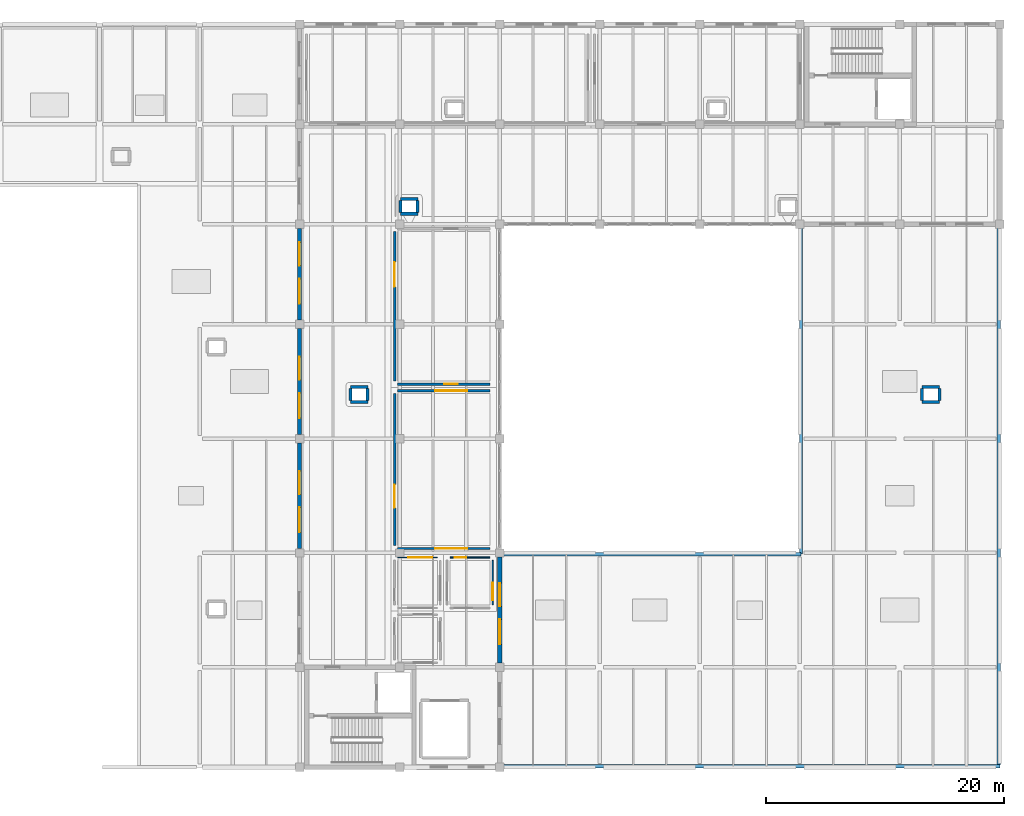
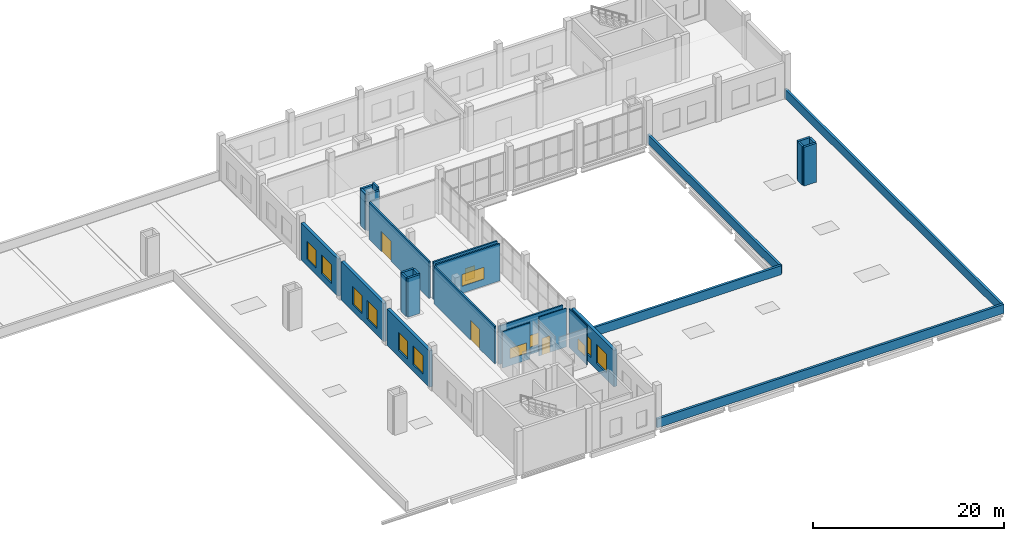
# One storey, part 41 of 49: 28 walls, 13 windows, 3 doors, 16 openings.
"""IFC4 building model written with IfcOpenShell, lengths in metres."""

import ifcopenshell
import ifcopenshell.guid

model = None  # the IFC model being written
_history = None  # IfcOwnerHistory: only IFC2X3 demands one
_inside = {}  # id of a spatial element -> (the spatial element, [elements in it])
_under = {}  # id of a project, library or spatial element -> (it, [spatial elements below it])
_declared = {}  # id of a project -> (the project, [libraries it declares])
_typed = {}  # id of a type object -> (the type object, [elements of that type])
_made_of = {}  # id of a material, layer set ... -> (it, [elements and type objects made of it])


def new_model(schema):
    """Start an empty IFC model of exactly this schema.

    Asked for "IFC4X3", IfcOpenShell would pick the latest addendum, in which some entities
    have other attributes; the version numbers below select the first issue.
    IFC2X3 requires an IfcOwnerHistory on every rooted entity: one is made here for all.
    """
    global model, _history
    if schema == "IFC4X3":
        model = ifcopenshell.file(schema_version=(4, 3, 0, 0))
    else:
        model = ifcopenshell.file(schema=schema)
    _inside.clear()
    _under.clear()
    _declared.clear()
    _typed.clear()
    _made_of.clear()
    _history = None
    if model.schema == "IFC2X3":
        org = make("IfcOrganization", Name="unknown")
        user = make(
            "IfcPersonAndOrganization",
            ThePerson=make("IfcPerson", FamilyName="unknown"),
            TheOrganization=org,
        )
        app = make(
            "IfcApplication",
            ApplicationDeveloper=org,
            Version="unknown",
            ApplicationFullName="unknown",
            ApplicationIdentifier="unknown",
        )
        _history = make(
            "IfcOwnerHistory",
            OwningUser=user,
            OwningApplication=app,
            ChangeAction="ADDED",
            CreationDate=0,
        )
    return model


def make(cls, **values):
    """One entity of the class cls with the attributes given. An attribute that is None is left unset."""
    return model.create_entity(
        cls, **{name: value for name, value in values.items() if value is not None}
    )


def rooted(cls, **values):
    """An entity with a GlobalId (a new one), such as an element, a storey or a relation."""
    return make(cls, GlobalId=ifcopenshell.guid.new(), OwnerHistory=_history, **values)


def si_unit(unit_type, name, prefix=None):
    """IfcSIUnit, for example si_unit("LENGTHUNIT", "METRE", prefix="MILLI")."""
    return make("IfcSIUnit", UnitType=unit_type, Prefix=prefix, Name=name)


def assignment(units):
    """IfcUnitAssignment: the units of a project."""
    return None if units is None else make("IfcUnitAssignment", Units=units)


def point(xyz):
    """IfcCartesianPoint."""
    return None if xyz is None else make("IfcCartesianPoint", Coordinates=xyz)


def direction(xyz):
    """IfcDirection."""
    return None if xyz is None else make("IfcDirection", DirectionRatios=xyz)


def frame(location, z_axis=None, x_axis=None):
    """IfcAxis2Placement3D, a coordinate frame: its origin and axes. An axis left out is left unset."""
    return make(
        "IfcAxis2Placement3D",
        Location=point(location),
        Axis=direction(z_axis),
        RefDirection=direction(x_axis),
    )


def frame_2d(location, x_axis=None):
    """IfcAxis2Placement2D, a coordinate frame in the plane: its origin and x axis."""
    return make(
        "IfcAxis2Placement2D", Location=point(location), RefDirection=direction(x_axis)
    )


def origin():
    """The frame at (0, 0, 0) with its axes left unset."""
    return frame((0.0, 0.0, 0.0))


def place(relative_to, where):
    """IfcLocalPlacement: puts the frame where relative to a parent placement (None: the world)."""
    return make(
        "IfcLocalPlacement", PlacementRelTo=relative_to, RelativePlacement=where
    )


def context(
    kind, dimensions, precision=None, world=None, true_north=None, identifier=None
):
    """IfcGeometricRepresentationContext, for example the 3D "Model" context."""
    return make(
        "IfcGeometricRepresentationContext",
        ContextIdentifier=identifier,
        ContextType=kind,
        CoordinateSpaceDimension=dimensions,
        Precision=precision,
        WorldCoordinateSystem=world,
        TrueNorth=true_north,
    )


def subcontext(parent, identifier, kind, view, scale=None):
    """IfcGeometricRepresentationSubContext, for example "Body" below "Model"."""
    return make(
        "IfcGeometricRepresentationSubContext",
        ContextIdentifier=identifier,
        ContextType=kind,
        ParentContext=parent,
        TargetScale=scale,
        TargetView=view,
    )


def project(units=None, contexts=None):
    """IfcProject with its units and contexts."""
    return rooted(
        "IfcProject",
        Name="project",
        RepresentationContexts=contexts,
        UnitsInContext=assignment(units),
    )


def spatial(cls, under=None, at=None, **own):
    """A site, building, storey or space (cls), placed at a placement, below another one or the project."""
    s = rooted(cls, ObjectPlacement=at, **own)
    if under is not None:
        _under.setdefault(under.id(), (under, []))[1].append(s)
    return s


def profile(cls, at=None, kind="AREA", **sizes):
    """A parametric profile (cls). Its sizes go by their IFC names, for example OverallWidth=200.0."""
    return make(cls, ProfileType=kind, Position=at, **sizes)


def rectangle(**sizes):
    """IfcRectangleProfileDef."""
    return profile("IfcRectangleProfileDef", **sizes)


def extrude(swept, where, along, depth):
    """IfcExtrudedAreaSolid: the profile swept, set in the frame where, extruded along a direction by depth."""
    return make(
        "IfcExtrudedAreaSolid",
        SweptArea=swept,
        Position=where,
        ExtrudedDirection=direction(along),
        Depth=depth,
    )


def shape(context_of_items, identifier, shape_type, items):
    """IfcShapeRepresentation: the items that make up one representation, for example the "Body"."""
    return make(
        "IfcShapeRepresentation",
        ContextOfItems=context_of_items,
        RepresentationIdentifier=identifier,
        RepresentationType=shape_type,
        Items=items,
    )


def material(Name=None, Category=None):
    """IfcMaterial."""
    return make("IfcMaterial", Name=Name, Category=Category)


def layer(
    of_material, thickness, ventilated=None, Name=None, Category=None, Priority=None
):
    """IfcMaterialLayer: one layer of a wall or slab, of a material (None: an air gap)."""
    return make(
        "IfcMaterialLayer",
        Material=of_material,
        LayerThickness=thickness,
        IsVentilated=ventilated,
        Name=Name,
        Category=Category,
        Priority=Priority,
    )


def layer_set(layers, Name=None):
    """IfcMaterialLayerSet."""
    return make("IfcMaterialLayerSet", MaterialLayers=layers, LayerSetName=Name)


def made_of(thing, what):
    """Note that an element or type object is made of a material, layer set ...; save() writes the relation."""
    if what is not None:
        _made_of.setdefault(what.id(), (what, []))[1].append(thing)
    return thing


def type_object(cls, material=None, **own):
    """A type object (cls), such as IfcWallType, which elements share."""
    return made_of(rooted(cls, **own), material)


def element(
    cls,
    number,
    at=None,
    inside=None,
    cuts=None,
    type_object=None,
    material=None,
    context=None,
    identifier="Body",
    shape_type=None,
    held_by="IfcProductDefinitionShape",
    body=None,
    shapes=None,
    **own,
):
    """One element of the class cls, such as IfcWall. Its Tag is "e" and its number.

    at: its placement. inside: the storey or other place that contains it. cuts: it is an
    opening in that element (IfcRelVoidsElement). A single representation is given by context,
    identifier, shape_type and body (its items); several are given by shapes. held_by: the class
    of the entity that holds the representations. save() writes the other relations.
    """
    e = rooted(cls, Tag="e%d" % number, ObjectPlacement=at, **own)
    if body is not None:
        shapes = [shape(context, identifier, shape_type, body)]
    if shapes is not None:
        e.Representation = make(held_by, Representations=shapes)
    if inside is not None:
        _inside.setdefault(inside.id(), (inside, []))[1].append(e)
    if cuts is not None:
        rooted(
            "IfcRelVoidsElement", RelatingBuildingElement=cuts, RelatedOpeningElement=e
        )
    if type_object is not None:
        _typed.setdefault(type_object.id(), (type_object, []))[1].append(e)
    return made_of(e, material)


def fill(opening, filler):
    """IfcRelFillsElement: the door or window that sits in an opening."""
    return rooted(
        "IfcRelFillsElement",
        RelatingOpeningElement=opening,
        RelatedBuildingElement=filler,
    )


def aggregate(whole, parts):
    """IfcRelAggregates: a whole, such as a stair, and the parts it consists of."""
    return rooted("IfcRelAggregates", RelatingObject=whole, RelatedObjects=parts)


def save(model, path):
    """Write the relations noted so far, then the file.

    IfcRelAggregates (storeys below a building ...), IfcRelContainedInSpatialStructure (elements
    in a storey), IfcRelDefinesByType, IfcRelAssociatesMaterial and IfcRelDeclares: one each for
    every whole, place, type object, material and project.
    """
    for whole, parts in _under.values():
        aggregate(whole, parts)
    for where, things in _inside.values():
        rooted(
            "IfcRelContainedInSpatialStructure",
            RelatedElements=things,
            RelatingStructure=where,
        )
    for kind, things in _typed.values():
        rooted("IfcRelDefinesByType", RelatedObjects=things, RelatingType=kind)
    for what, things in _made_of.values():
        rooted("IfcRelAssociatesMaterial", RelatedObjects=things, RelatingMaterial=what)
    for by, libraries in _declared.values():
        rooted("IfcRelDeclares", RelatingContext=by, RelatedDefinitions=libraries)
    model.write(path)


model = new_model("IFC4")

# Units and contexts
model_context = context("Model", 3, precision=1e-05, world=origin(), true_north=direction((0.0, 1.0)))
body_context = subcontext(model_context, "Body", "Model", "MODEL_VIEW")
ifc_project = project(units=[si_unit("LENGTHUNIT", "METRE"), si_unit("AREAUNIT", "SQUARE_METRE"), si_unit("VOLUMEUNIT", "CUBIC_METRE"), si_unit("PLANEANGLEUNIT", "RADIAN"), si_unit("MASSUNIT", "GRAM", prefix="KILO")], contexts=[model_context])

# Site, building, storey
site_placement = place(None, origin())
site = spatial("IfcSite", under=ifc_project, at=site_placement, CompositionType="ELEMENT")
building_placement = place(site_placement, origin())
building = spatial("IfcBuilding", under=site, at=building_placement, Name="Zulmaris Art Gallery", CompositionType="ELEMENT")
storey_placement = place(building_placement, frame((0.0, 0.0, 20.699951171875)))
storey = spatial("IfcBuildingStorey", under=building, at=storey_placement, Name="L04", CompositionType="ELEMENT", Elevation=20.699951171875)

# Wall, openings, windows
ifc_material_1 = material(Name="Honed Omani Travertine Insulated Wall", Category="masonry")
ifc_layer_1 = layer(ifc_material_1, 0.360107421875)
ifc_layer_set_1 = layer_set([ifc_layer_1], Name="Honed Omani Travertine Insulated Wall")
wall_type_1 = type_object("IfcWallType", Name="ENV-WALL-EW03", PredefinedType="SOLIDWALL", material=ifc_layer_set_1)
wall_1_placement = place(storey_placement, frame((158.39990234375, 21.951904296875, 0.0), z_axis=(0.0, 0.0, 1.0), x_axis=(0.0, 1.0, 0.0)))
wall_1 = element("IfcWall", 1, at=wall_1_placement, inside=storey, type_object=wall_type_1, Name="L04 V5 Stepped East Studio Wall", PredefinedType="SOLIDWALL", context=body_context, shape_type="SweptSolid", body=[
    extrude(rectangle(XDim=8.89599609375, YDim=0.360107421875, at=frame_2d((4.447998046875, 0.0))), origin(), (0.0, 0.0, 1.0), 4.66015625),
])
opening_1_placement = place(wall_1_placement, frame((1.568115234375, 0.0, 0.85009765625)))
opening_1 = element("IfcOpeningElement", 2, at=opening_1_placement, cuts=wall_1, Name="Opening W03", PredefinedType="OPENING", context=body_context, shape_type="SweptSolid", body=[
    extrude(rectangle(XDim=2.10009765625, YDim=2.39990234375, at=frame_2d((1.050048828125, 1.199951171875))), frame((0.0, 0.18994140625, 0.0), z_axis=(0.0, -1.0, 0.0), x_axis=(1.0, 0.0, 0.0)), (0.0, 0.0, 1.0), 0.380126953125),
])
opening_2_placement = place(wall_1_placement, frame((4.76806640625, 0.0, 0.85009765625)))
opening_2 = element("IfcOpeningElement", 3, at=opening_2_placement, cuts=wall_1, Name="Opening W08", PredefinedType="OPENING", context=body_context, shape_type="SweptSolid", body=[
    extrude(rectangle(XDim=1.949951171875, YDim=2.300048828125, at=frame_2d((0.97509765625, 1.14990234375))), frame((0.0, 0.18994140625, 0.0), z_axis=(0.0, -1.0, 0.0), x_axis=(1.0, 0.0, 0.0)), (0.0, 0.0, 1.0), 0.380126953125),
])
ifc_material_2 = material(Name="Double-Glazed Bronze-Framed Studio Window", Category="glass")
window_type_1 = type_object("IfcWindowType", Name="WIN-W03", PartitioningType="SINGLE_PANEL", PredefinedType="WINDOW", material=ifc_material_2)
window_1_placement = place(opening_1_placement, origin())
window_1 = element("IfcWindow", 4, at=window_1_placement, inside=storey, type_object=window_type_1, Name="L04 exterior window W03", OverallHeight=2.39990234375, OverallWidth=2.10009765625, PartitioningType="SINGLE_PANEL", PredefinedType="WINDOW", context=body_context, shape_type="SweptSolid", body=[
    extrude(rectangle(XDim=2.10009765625, YDim=2.39990234375, at=frame_2d((1.050048828125, 1.199951171875))), frame((0.0, 0.030029296875, 0.0), z_axis=(0.0, -1.0, 0.0), x_axis=(1.0, 0.0, 0.0)), (0.0, 0.0, 1.0), 0.06005859375),
])
fill(opening_1, window_1)
ifc_material_3 = material(Name="Curatorial North Studio Window", Category="glass")
window_type_2 = type_object("IfcWindowType", Name="WIN-W08", PartitioningType="SINGLE_PANEL", PredefinedType="WINDOW", material=ifc_material_3)
window_2_placement = place(opening_2_placement, origin())
window_2 = element("IfcWindow", 5, at=window_2_placement, inside=storey, type_object=window_type_2, Name="L04 exterior window W08", OverallHeight=2.300048828125, OverallWidth=1.949951171875, PartitioningType="SINGLE_PANEL", PredefinedType="WINDOW", context=body_context, shape_type="SweptSolid", body=[
    extrude(rectangle(XDim=1.949951171875, YDim=2.300048828125, at=frame_2d((0.97509765625, 1.14990234375))), frame((0.0, 0.030029296875, 0.0), z_axis=(0.0, -1.0, 0.0), x_axis=(1.0, 0.0, 0.0)), (0.0, 0.0, 1.0), 0.06005859375),
])
fill(opening_2, window_2)

wall_2_placement = place(storey_placement, frame((141.60009765625, 31.552001953125, 0.0), z_axis=(0.0, 0.0, 1.0), x_axis=(0.0, 1.0, 0.0)))
wall_2 = element("IfcWall", 6, at=wall_2_placement, inside=storey, type_object=wall_type_1, Name="L04 V5 Upper West Overlook Facade", PredefinedType="SOLIDWALL", context=body_context, shape_type="SweptSolid", body=[
    extrude(rectangle(XDim=8.89599609375, YDim=0.360107421875, at=frame_2d((4.447998046875, 0.0))), origin(), (0.0, 0.0, 1.0), 4.66015625),
])
opening_3_placement = place(wall_2_placement, frame((1.367919921875, 0.0, 0.85009765625)))
opening_3 = element("IfcOpeningElement", 7, at=opening_3_placement, cuts=wall_2, Name="Opening W03", PredefinedType="OPENING", context=body_context, shape_type="SweptSolid", body=[
    extrude(rectangle(XDim=2.10009765625, YDim=2.39990234375, at=frame_2d((1.050048828125, 1.199951171875))), frame((0.0, 0.18994140625, 0.0), z_axis=(0.0, -1.0, 0.0), x_axis=(1.0, 0.0, 0.0)), (0.0, 0.0, 1.0), 0.380126953125),
])
opening_4_placement = place(wall_2_placement, frame((4.568115234375, 0.0, 0.85009765625)))
opening_4 = element("IfcOpeningElement", 8, at=opening_4_placement, cuts=wall_2, Name="Opening W08", PredefinedType="OPENING", context=body_context, shape_type="SweptSolid", body=[
    extrude(rectangle(XDim=1.949951171875, YDim=2.300048828125, at=frame_2d((0.97509765625, 1.14990234375))), frame((0.0, 0.18994140625, 0.0), z_axis=(0.0, -1.0, 0.0), x_axis=(1.0, 0.0, 0.0)), (0.0, 0.0, 1.0), 0.380126953125),
])
window_3_placement = place(opening_3_placement, origin())
window_3 = element("IfcWindow", 9, at=window_3_placement, inside=storey, type_object=window_type_1, Name="L04 exterior window W03", OverallHeight=2.39990234375, OverallWidth=2.10009765625, PartitioningType="SINGLE_PANEL", PredefinedType="WINDOW", context=body_context, shape_type="SweptSolid", body=[
    extrude(rectangle(XDim=2.10009765625, YDim=2.39990234375, at=frame_2d((1.050048828125, 1.199951171875))), frame((0.0, 0.030029296875, 0.0), z_axis=(0.0, -1.0, 0.0), x_axis=(1.0, 0.0, 0.0)), (0.0, 0.0, 1.0), 0.06005859375),
])
fill(opening_3, window_3)
window_4_placement = place(opening_4_placement, origin())
window_4 = element("IfcWindow", 10, at=window_4_placement, inside=storey, type_object=window_type_2, Name="L04 exterior window W08", OverallHeight=2.300048828125, OverallWidth=1.949951171875, PartitioningType="SINGLE_PANEL", PredefinedType="WINDOW", context=body_context, shape_type="SweptSolid", body=[
    extrude(rectangle(XDim=1.949951171875, YDim=2.300048828125, at=frame_2d((0.97509765625, 1.14990234375))), frame((0.0, 0.030029296875, 0.0), z_axis=(0.0, -1.0, 0.0), x_axis=(1.0, 0.0, 0.0)), (0.0, 0.0, 1.0), 0.06005859375),
])
fill(opening_4, window_4)

wall_3_placement = place(storey_placement, frame((141.60009765625, 41.152099609375, 0.0), z_axis=(0.0, 0.0, 1.0), x_axis=(0.0, 1.0, 0.0)))
wall_3 = element("IfcWall", 11, at=wall_3_placement, inside=storey, type_object=wall_type_1, Name="L04 V5 Upper West Overlook Facade", PredefinedType="SOLIDWALL", context=body_context, shape_type="SweptSolid", body=[
    extrude(rectangle(XDim=8.89599609375, YDim=0.360107421875, at=frame_2d((4.447998046875, 0.0))), origin(), (0.0, 0.0, 1.0), 4.91015625),
])
opening_5_placement = place(wall_3_placement, frame((1.367919921875, 0.0, 0.85009765625)))
opening_5 = element("IfcOpeningElement", 12, at=opening_5_placement, cuts=wall_3, Name="Opening W03", PredefinedType="OPENING", context=body_context, shape_type="SweptSolid", body=[
    extrude(rectangle(XDim=2.10009765625, YDim=2.39990234375, at=frame_2d((1.050048828125, 1.199951171875))), frame((0.0, 0.18994140625, 0.0), z_axis=(0.0, -1.0, 0.0), x_axis=(1.0, 0.0, 0.0)), (0.0, 0.0, 1.0), 0.380126953125),
])
opening_6_placement = place(wall_3_placement, frame((4.568115234375, 0.0, 0.85009765625)))
opening_6 = element("IfcOpeningElement", 13, at=opening_6_placement, cuts=wall_3, Name="Opening W08", PredefinedType="OPENING", context=body_context, shape_type="SweptSolid", body=[
    extrude(rectangle(XDim=1.949951171875, YDim=2.300048828125, at=frame_2d((0.97509765625, 1.14990234375))), frame((0.0, 0.18994140625, 0.0), z_axis=(0.0, -1.0, 0.0), x_axis=(1.0, 0.0, 0.0)), (0.0, 0.0, 1.0), 0.380126953125),
])
window_5_placement = place(opening_5_placement, origin())
window_5 = element("IfcWindow", 14, at=window_5_placement, inside=storey, type_object=window_type_1, Name="L04 exterior window W03", OverallHeight=2.39990234375, OverallWidth=2.10009765625, PartitioningType="SINGLE_PANEL", PredefinedType="WINDOW", context=body_context, shape_type="SweptSolid", body=[
    extrude(rectangle(XDim=2.10009765625, YDim=2.39990234375, at=frame_2d((1.050048828125, 1.199951171875))), frame((0.0, 0.030029296875, 0.0), z_axis=(0.0, -1.0, 0.0), x_axis=(1.0, 0.0, 0.0)), (0.0, 0.0, 1.0), 0.06005859375),
])
fill(opening_5, window_5)
window_6_placement = place(opening_6_placement, origin())
window_6 = element("IfcWindow", 15, at=window_6_placement, inside=storey, type_object=window_type_2, Name="L04 exterior window W08", OverallHeight=2.300048828125, OverallWidth=1.949951171875, PartitioningType="SINGLE_PANEL", PredefinedType="WINDOW", context=body_context, shape_type="SweptSolid", body=[
    extrude(rectangle(XDim=1.949951171875, YDim=2.300048828125, at=frame_2d((0.97509765625, 1.14990234375))), frame((0.0, 0.030029296875, 0.0), z_axis=(0.0, -1.0, 0.0), x_axis=(1.0, 0.0, 0.0)), (0.0, 0.0, 1.0), 0.06005859375),
])
fill(opening_6, window_6)

wall_4_placement = place(storey_placement, frame((141.60009765625, 50.751953125, 0.0), z_axis=(0.0, 0.0, 1.0), x_axis=(0.0, 1.0, 0.0)))
wall_4 = element("IfcWall", 16, at=wall_4_placement, inside=storey, type_object=wall_type_1, Name="L04 V5 Upper West Overlook Facade", PredefinedType="SOLIDWALL", context=body_context, shape_type="SweptSolid", body=[
    extrude(rectangle(XDim=7.696044921875, YDim=0.360107421875, at=frame_2d((3.84814453125, 0.0))), origin(), (0.0, 0.0, 1.0), 4.760009765625),
])
opening_7_placement = place(wall_4_placement, frame((1.367919921875, 0.0, 0.85009765625)))
opening_7 = element("IfcOpeningElement", 17, at=opening_7_placement, cuts=wall_4, Name="Opening W03", PredefinedType="OPENING", context=body_context, shape_type="SweptSolid", body=[
    extrude(rectangle(XDim=2.10009765625, YDim=2.39990234375, at=frame_2d((1.050048828125, 1.199951171875))), frame((0.0, 0.18994140625, 0.0), z_axis=(0.0, -1.0, 0.0), x_axis=(1.0, 0.0, 0.0)), (0.0, 0.0, 1.0), 0.380126953125),
])
opening_8_placement = place(wall_4_placement, frame((4.568115234375, 0.0, 0.85009765625)))
opening_8 = element("IfcOpeningElement", 18, at=opening_8_placement, cuts=wall_4, Name="Opening W08", PredefinedType="OPENING", context=body_context, shape_type="SweptSolid", body=[
    extrude(rectangle(XDim=1.949951171875, YDim=2.300048828125, at=frame_2d((0.97509765625, 1.14990234375))), frame((0.0, 0.18994140625, 0.0), z_axis=(0.0, -1.0, 0.0), x_axis=(1.0, 0.0, 0.0)), (0.0, 0.0, 1.0), 0.380126953125),
])
window_7_placement = place(opening_7_placement, origin())
window_7 = element("IfcWindow", 19, at=window_7_placement, inside=storey, type_object=window_type_1, Name="L04 exterior window W03", OverallHeight=2.39990234375, OverallWidth=2.10009765625, PartitioningType="SINGLE_PANEL", PredefinedType="WINDOW", context=body_context, shape_type="SweptSolid", body=[
    extrude(rectangle(XDim=2.10009765625, YDim=2.39990234375, at=frame_2d((1.050048828125, 1.199951171875))), frame((0.0, 0.030029296875, 0.0), z_axis=(0.0, -1.0, 0.0), x_axis=(1.0, 0.0, 0.0)), (0.0, 0.0, 1.0), 0.06005859375),
])
fill(opening_7, window_7)
window_8_placement = place(opening_8_placement, origin())
window_8 = element("IfcWindow", 20, at=window_8_placement, inside=storey, type_object=window_type_2, Name="L04 exterior window W08", OverallHeight=2.300048828125, OverallWidth=1.949951171875, PartitioningType="SINGLE_PANEL", PredefinedType="WINDOW", context=body_context, shape_type="SweptSolid", body=[
    extrude(rectangle(XDim=1.949951171875, YDim=2.300048828125, at=frame_2d((0.97509765625, 1.14990234375))), frame((0.0, 0.030029296875, 0.0), z_axis=(0.0, -1.0, 0.0), x_axis=(1.0, 0.0, 0.0)), (0.0, 0.0, 1.0), 0.06005859375),
])
fill(opening_8, window_8)

# Walls
ifc_material_4 = material(Name="Omani Cream Limestone Coping Parapet", Category="masonry")
ifc_layer_2 = layer(ifc_material_4, 0.280029296875)
ifc_layer_set_2 = layer_set([ifc_layer_2], Name="Omani Cream Limestone Coping Parapet")
wall_type_2 = type_object("IfcWallType", Name="ENV-WALL-PR01", PredefinedType="PARAPET", material=ifc_layer_set_2)
wall_5_placement = place(storey_placement, frame((158.39990234375, 13.300048828125, 0.0), z_axis=(0.0, 0.0, 1.0), x_axis=(1.0, 0.0, 0.0)))
element("IfcWall", 21, at=wall_5_placement, inside=storey, type_object=wall_type_2, Name="L04 Limestone Roof Parapet 4", PredefinedType="PARAPET", context=body_context, shape_type="SweptSolid", body=[
    extrude(rectangle(XDim=42.0, YDim=0.280029296875, at=frame_2d((21.0, 0.0))), origin(), (0.0, 0.0, 1.0), 1.150146484375),
])
wall_6_placement = place(storey_placement, frame((200.300048828125, 13.39990234375, 0.0), z_axis=(0.0, 0.0, 1.0), x_axis=(0.0, 1.0, 0.0)))
element("IfcWall", 22, at=wall_6_placement, inside=storey, type_object=wall_type_2, Name="L04 Limestone Roof Parapet 5", PredefinedType="PARAPET", context=body_context, shape_type="SweptSolid", body=[
    extrude(rectangle(XDim=45.400146484375, YDim=0.280029296875, at=frame_2d((22.7001953125, 0.0))), origin(), (0.0, 0.0, 1.0), 1.150146484375),
])
wall_7_placement = place(storey_placement, frame((158.39990234375, 31.10009765625, 0.0), z_axis=(0.0, 0.0, 1.0), x_axis=(1.0, 0.0, 0.0)))
element("IfcWall", 23, at=wall_7_placement, inside=storey, type_object=wall_type_2, Name="L04 Limestone Roof Parapet 6", PredefinedType="PARAPET", context=body_context, shape_type="SweptSolid", body=[
    extrude(rectangle(XDim=25.300048828125, YDim=0.280029296875, at=frame_2d((12.64990234375, 0.0))), origin(), (0.0, 0.0, 1.0), 1.150146484375),
])
wall_8_placement = place(storey_placement, frame((183.699951171875, 31.10009765625, 0.0), z_axis=(0.0, 0.0, 1.0), x_axis=(0.0, 1.0, 0.0)))
element("IfcWall", 24, at=wall_8_placement, inside=storey, type_object=wall_type_2, Name="L04 Limestone Roof Parapet 7", PredefinedType="PARAPET", context=body_context, shape_type="SweptSolid", body=[
    extrude(rectangle(XDim=27.699951171875, YDim=0.280029296875, at=frame_2d((13.85009765625, 0.0))), origin(), (0.0, 0.0, 1.0), 1.150146484375),
])

# Wall, opening, window
ifc_material_5 = material(Name="Moisture-Resistant Tile-Backer Wet Wall", Category="gypsum")
ifc_layer_3 = layer(ifc_material_5, 0.114990234375)
ifc_layer_set_3 = layer_set([ifc_layer_3], Name="Moisture-Resistant Tile-Backer Wet Wall")
wall_type_3 = type_object("IfcWallType", Name="IWALL-PW02", PredefinedType="PARTITIONING", material=ifc_layer_set_3)
wall_9_placement = place(storey_placement, frame((149.830078125, 30.820068359375, 0.0), z_axis=(0.0, 0.0, 1.0), x_axis=(1.0, 0.0, 0.0)))
wall_9 = element("IfcWall", 25, at=wall_9_placement, inside=storey, type_object=wall_type_3, Name="Level 04 Female WC & Shower N partition", PredefinedType="PARTITIONING", context=body_context, shape_type="SweptSolid", body=[
    extrude(rectangle(XDim=3.33984375, YDim=0.114990234375, at=frame_2d((1.669921875, 0.0))), origin(), (0.0, 0.0, 1.0), 4.66015625),
])
opening_9_placement = place(wall_9_placement, frame((0.89990234375, 0.0, 0.89990234375)))
opening_9 = element("IfcOpeningElement", 26, at=opening_9_placement, cuts=wall_9, Name="Opening IW10", PredefinedType="OPENING", context=body_context, shape_type="SweptSolid", body=[
    extrude(rectangle(XDim=2.02001953125, YDim=1.320068359375, at=frame_2d((1.010009765625, 0.66015625))), frame((0.0, 0.0673828125, 0.0), z_axis=(0.0, -1.0, 0.0), x_axis=(1.0, 0.0, 0.0)), (0.0, 0.0, 1.0), 0.135009765625),
])
ifc_material_6 = material(Name="Seminar Acoustic Viewing Window", Category="glass")
window_type_3 = type_object("IfcWindowType", Name="IWIN-IW10", PartitioningType="SINGLE_PANEL", PredefinedType="WINDOW", material=ifc_material_6)
window_9_placement = place(opening_9_placement, origin())
window_9 = element("IfcWindow", 27, at=window_9_placement, inside=storey, type_object=window_type_3, Name="L04 interior observation window IW10", OverallHeight=1.320068359375, OverallWidth=2.02001953125, PartitioningType="SINGLE_PANEL", PredefinedType="WINDOW", context=body_context, shape_type="SweptSolid", body=[
    extrude(rectangle(XDim=2.02001953125, YDim=1.320068359375, at=frame_2d((1.010009765625, 0.66015625))), frame((0.0, 0.030029296875, 0.0), z_axis=(0.0, -1.0, 0.0), x_axis=(1.0, 0.0, 0.0)), (0.0, 0.0, 1.0), 0.06005859375),
])
fill(opening_9, window_9)

# Wall, opening, door
wall_10_placement = place(storey_placement, frame((154.22998046875, 30.820068359375, 0.0), z_axis=(0.0, 0.0, 1.0), x_axis=(1.0, 0.0, 0.0)))
wall_10 = element("IfcWall", 28, at=wall_10_placement, inside=storey, type_object=wall_type_3, Name="Level 04 Accessible WC N partition", PredefinedType="PARTITIONING", context=body_context, shape_type="SweptSolid", body=[
    extrude(rectangle(XDim=3.340087890625, YDim=0.114990234375, at=frame_2d((1.669921875, 0.0))), origin(), (0.0, 0.0, 1.0), 4.97998046875),
])
opening_10_placement = place(wall_10_placement, frame((0.39990234375, 0.0, 0.0)))
opening_10 = element("IfcOpeningElement", 29, at=opening_10_placement, cuts=wall_10, Name="Opening D02", PredefinedType="OPENING", context=body_context, shape_type="SweptSolid", body=[
    extrude(rectangle(XDim=0.9599609375, YDim=2.139892578125, at=frame_2d((0.47998046875, 1.06982421875))), frame((0.0, 0.0673828125, 0.0), z_axis=(0.0, -1.0, 0.0), x_axis=(1.0, 0.0, 0.0)), (0.0, 0.0, 1.0), 0.135009765625),
])
ifc_material_7 = material(Name="Accessible WC Outward-Opening Door", Category="timber")
door_type_1 = type_object("IfcDoorType", Name="IDOOR-D02", OperationType="NOTDEFINED", PredefinedType="DOOR", material=ifc_material_7)
door_1_placement = place(opening_10_placement, origin())
door_1 = element("IfcDoor", 30, at=door_1_placement, inside=storey, type_object=door_type_1, Name="Level 04 Accessible WC Door", OperationType="SINGLE_SWING_LEFT", OverallHeight=2.139892578125, OverallWidth=0.9599609375, PredefinedType="DOOR", context=body_context, shape_type="SweptSolid", body=[
    extrude(rectangle(XDim=0.9599609375, YDim=2.139892578125, at=frame_2d((0.47998046875, 1.06982421875))), frame((0.0, 0.02490234375, 0.0), z_axis=(0.0, -1.0, 0.0), x_axis=(1.0, 0.0, 0.0)), (0.0, 0.0, 1.0), 0.050048828125),
])
fill(opening_10, door_1)

# Wall, opening, window
wall_11_placement = place(storey_placement, frame((157.820068359375, 26.830078125, 0.0), z_axis=(0.0, 0.0, 1.0), x_axis=(0.0, 1.0, 0.0)))
wall_11 = element("IfcWall", 31, at=wall_11_placement, inside=storey, type_object=wall_type_3, Name="Level 04 Accessible WC E partition", PredefinedType="PARTITIONING", context=body_context, shape_type="SweptSolid", body=[
    extrude(rectangle(XDim=3.739990234375, YDim=0.114990234375, at=frame_2d((1.8701171875, 0.0))), origin(), (0.0, 0.0, 1.0), 4.97998046875),
])
opening_11_placement = place(wall_11_placement, frame((0.39990234375, 0.0, 0.89990234375)))
opening_11 = element("IfcOpeningElement", 32, at=opening_11_placement, cuts=wall_11, Name="Opening IW01", PredefinedType="OPENING", context=body_context, shape_type="SweptSolid", body=[
    extrude(rectangle(XDim=1.47998046875, YDim=1.35009765625, at=frame_2d((0.739990234375, 0.675048828125))), frame((0.0, 0.0673828125, 0.0), z_axis=(0.0, -1.0, 0.0), x_axis=(1.0, 0.0, 0.0)), (0.0, 0.0, 1.0), 0.135009765625),
])
ifc_material_8 = material(Name="Conservation Studio Viewing Window", Category="glass")
window_type_4 = type_object("IfcWindowType", Name="IWIN-IW01", PartitioningType="SINGLE_PANEL", PredefinedType="WINDOW", material=ifc_material_8)
window_10_placement = place(opening_11_placement, origin())
window_10 = element("IfcWindow", 33, at=window_10_placement, inside=storey, type_object=window_type_4, Name="L04 interior observation window IW01", OverallHeight=1.35009765625, OverallWidth=1.47998046875, PartitioningType="SINGLE_PANEL", PredefinedType="WINDOW", context=body_context, shape_type="SweptSolid", body=[
    extrude(rectangle(XDim=1.47998046875, YDim=1.35009765625, at=frame_2d((0.739990234375, 0.675048828125))), frame((0.0, 0.030029296875, 0.0), z_axis=(0.0, -1.0, 0.0), x_axis=(1.0, 0.0, 0.0)), (0.0, 0.0, 1.0), 0.06005859375),
])
fill(opening_11, window_10)

# Wall, opening, door
ifc_material_9 = material(Name="Conservation Laboratory Partition", Category="masonry")
ifc_layer_4 = layer(ifc_material_9, 0.18994140625)
ifc_layer_set_4 = layer_set([ifc_layer_4], Name="Conservation Laboratory Partition")
wall_type_4 = type_object("IfcWallType", Name="IWALL-PW07", PredefinedType="PARTITIONING", material=ifc_layer_set_4)
wall_12_placement = place(storey_placement, frame((149.580078125, 31.830078125, 0.0), z_axis=(0.0, 0.0, 1.0), x_axis=(0.0, 1.0, 0.0)))
wall_12 = element("IfcWall", 34, at=wall_12_placement, inside=storey, type_object=wall_type_4, Name="Resident Artists' Studio 3 (Sculpture) W partition", PredefinedType="PARTITIONING", context=body_context, shape_type="SweptSolid", body=[
    extrude(rectangle(XDim=12.739990234375, YDim=0.18994140625, at=frame_2d((6.3701171875, 0.0))), origin(), (0.0, 0.0, 1.0), 4.81005859375),
])
opening_12_placement = place(wall_12_placement, frame((3.14990234375, 0.0, 0.0)))
opening_12 = element("IfcOpeningElement", 35, at=opening_12_placement, cuts=wall_12, Name="Opening D17", PredefinedType="OPENING", context=body_context, shape_type="SweptSolid", body=[
    extrude(rectangle(XDim=1.9599609375, YDim=2.52001953125, at=frame_2d((0.97998046875, 1.260009765625))), frame((0.0, 0.10498046875, 0.0), z_axis=(0.0, -1.0, 0.0), x_axis=(1.0, 0.0, 0.0)), (0.0, 0.0, 1.0), 0.2099609375),
])
ifc_material_10 = material(Name="Gallery Enfilade Bronze Double Door A", Category="aluminium")
door_type_2 = type_object("IfcDoorType", Name="IDOOR-D17", OperationType="DOUBLE_SWING_LEFT", PredefinedType="DOOR", material=ifc_material_10)
door_2_placement = place(opening_12_placement, origin())
door_2 = element("IfcDoor", 36, at=door_2_placement, inside=storey, type_object=door_type_2, Name="Resident Artists' Studio 3 (Sculpture) Door", OperationType="DOUBLE_SWING_LEFT", OverallHeight=2.52001953125, OverallWidth=1.9599609375, PredefinedType="DOOR", context=body_context, shape_type="SweptSolid", body=[
    extrude(rectangle(XDim=1.9599609375, YDim=2.52001953125, at=frame_2d((0.97998046875, 1.260009765625))), frame((0.0, 0.02490234375, 0.0), z_axis=(0.0, -1.0, 0.0), x_axis=(1.0, 0.0, 0.0)), (0.0, 0.0, 1.0), 0.050048828125),
])
fill(opening_12, door_2)

# Wall, opening, window
wall_13_placement = place(storey_placement, frame((149.830078125, 31.580078125, 0.0), z_axis=(0.0, 0.0, 1.0), x_axis=(1.0, 0.0, 0.0)))
wall_13 = element("IfcWall", 37, at=wall_13_placement, inside=storey, type_object=wall_type_4, Name="Resident Artists' Studio 3 (Sculpture) S partition", PredefinedType="PARTITIONING", context=body_context, shape_type="SweptSolid", body=[
    extrude(rectangle(XDim=7.739990234375, YDim=0.18994140625, at=frame_2d((3.8701171875, 0.0))), origin(), (0.0, 0.0, 1.0), 4.91015625),
])
opening_13_placement = place(wall_13_placement, frame((3.14990234375, 0.0, 0.89990234375)))
opening_13 = element("IfcOpeningElement", 38, at=opening_13_placement, cuts=wall_13, Name="Opening IW07", PredefinedType="OPENING", context=body_context, shape_type="SweptSolid", body=[
    extrude(rectangle(XDim=2.679931640625, YDim=1.52001953125, at=frame_2d((1.33984375, 0.760009765625))), frame((0.0, 0.10498046875, 0.0), z_axis=(0.0, -1.0, 0.0), x_axis=(1.0, 0.0, 0.0)), (0.0, 0.0, 1.0), 0.2099609375),
])
ifc_material_11 = material(Name="Artists Salon Overlook Glazing", Category="glass")
window_type_5 = type_object("IfcWindowType", Name="IWIN-IW07", PartitioningType="SINGLE_PANEL", PredefinedType="WINDOW", material=ifc_material_11)
window_11_placement = place(opening_13_placement, origin())
window_11 = element("IfcWindow", 39, at=window_11_placement, inside=storey, type_object=window_type_5, Name="L04 interior observation window IW07", OverallHeight=1.52001953125, OverallWidth=2.679931640625, PartitioningType="SINGLE_PANEL", PredefinedType="WINDOW", context=body_context, shape_type="SweptSolid", body=[
    extrude(rectangle(XDim=2.679931640625, YDim=1.52001953125, at=frame_2d((1.33984375, 0.760009765625))), frame((0.0, 0.030029296875, 0.0), z_axis=(0.0, -1.0, 0.0), x_axis=(1.0, 0.0, 0.0)), (0.0, 0.0, 1.0), 0.06005859375),
])
fill(opening_13, window_11)

wall_14_placement = place(storey_placement, frame((149.830078125, 44.820068359375, 0.0), z_axis=(0.0, 0.0, 1.0), x_axis=(1.0, 0.0, 0.0)))
wall_14 = element("IfcWall", 40, at=wall_14_placement, inside=storey, type_object=wall_type_4, Name="Resident Artists' Studio 3 (Sculpture) N partition", PredefinedType="PARTITIONING", context=body_context, shape_type="SweptSolid", body=[
    extrude(rectangle(XDim=7.739990234375, YDim=0.18994140625, at=frame_2d((3.8701171875, 0.0))), origin(), (0.0, 0.0, 1.0), 4.760009765625),
])
opening_14_placement = place(wall_14_placement, frame((3.14990234375, 0.0, 0.89990234375)))
opening_14 = element("IfcOpeningElement", 41, at=opening_14_placement, cuts=wall_14, Name="Opening IW07", PredefinedType="OPENING", context=body_context, shape_type="SweptSolid", body=[
    extrude(rectangle(XDim=2.679931640625, YDim=1.52001953125, at=frame_2d((1.33984375, 0.760009765625))), frame((0.0, 0.10498046875, 0.0), z_axis=(0.0, -1.0, 0.0), x_axis=(1.0, 0.0, 0.0)), (0.0, 0.0, 1.0), 0.2099609375),
])
window_12_placement = place(opening_14_placement, origin())
window_12 = element("IfcWindow", 42, at=window_12_placement, inside=storey, type_object=window_type_5, Name="L04 interior observation window IW07", OverallHeight=1.52001953125, OverallWidth=2.679931640625, PartitioningType="SINGLE_PANEL", PredefinedType="WINDOW", context=body_context, shape_type="SweptSolid", body=[
    extrude(rectangle(XDim=2.679931640625, YDim=1.52001953125, at=frame_2d((1.33984375, 0.760009765625))), frame((0.0, 0.030029296875, 0.0), z_axis=(0.0, -1.0, 0.0), x_axis=(1.0, 0.0, 0.0)), (0.0, 0.0, 1.0), 0.06005859375),
])
fill(opening_14, window_12)

# Wall, opening, door
ifc_material_12 = material(Name="Fire-Rated Corridor Compartment Wall", Category="masonry")
ifc_layer_5 = layer(ifc_material_12, 0.205078125)
ifc_layer_set_5 = layer_set([ifc_layer_5], Name="Fire-Rated Corridor Compartment Wall")
wall_type_5 = type_object("IfcWallType", Name="IWALL-PW08", PredefinedType="PARTITIONING", material=ifc_layer_set_5)
wall_15_placement = place(storey_placement, frame((149.580078125, 45.6298828125, 0.0), z_axis=(0.0, 0.0, 1.0), x_axis=(0.0, 1.0, 0.0)))
wall_15 = element("IfcWall", 43, at=wall_15_placement, inside=storey, type_object=wall_type_5, Name="Shared Wood, Metal & Kiln Workshop W partition", PredefinedType="PARTITIONING", context=body_context, shape_type="SweptSolid", body=[
    extrude(rectangle(XDim=12.5400390625, YDim=0.205078125, at=frame_2d((6.27001953125, 0.0))), origin(), (0.0, 0.0, 1.0), 4.760009765625),
])
opening_15_placement = place(wall_15_placement, frame((7.89990234375, 0.0, 0.0)))
opening_15 = element("IfcOpeningElement", 44, at=opening_15_placement, cuts=wall_15, Name="Opening D18", PredefinedType="OPENING", context=body_context, shape_type="SweptSolid", body=[
    extrude(rectangle(XDim=2.080078125, YDim=2.580078125, at=frame_2d((1.0400390625, 1.2900390625))), frame((0.0, 0.112548828125, 0.0), z_axis=(0.0, -1.0, 0.0), x_axis=(1.0, 0.0, 0.0)), (0.0, 0.0, 1.0), 0.22509765625),
])
ifc_material_13 = material(Name="Grand Foyer Gallery Portal Door B", Category="aluminium")
door_type_3 = type_object("IfcDoorType", Name="IDOOR-D18", OperationType="DOUBLE_SWING_RIGHT", PredefinedType="DOOR", material=ifc_material_13)
door_3_placement = place(opening_15_placement, origin())
door_3 = element("IfcDoor", 45, at=door_3_placement, inside=storey, type_object=door_type_3, Name="Shared Wood, Metal & Kiln Workshop Door", OperationType="DOUBLE_SWING_RIGHT", OverallHeight=2.580078125, OverallWidth=2.080078125, PredefinedType="DOOR", context=body_context, shape_type="SweptSolid", body=[
    extrude(rectangle(XDim=2.080078125, YDim=2.580078125, at=frame_2d((1.0400390625, 1.2900390625))), frame((0.0, 0.02490234375, 0.0), z_axis=(0.0, -1.0, 0.0), x_axis=(1.0, 0.0, 0.0)), (0.0, 0.0, 1.0), 0.050048828125),
])
fill(opening_15, door_3)

# Wall, opening, window
wall_16_placement = place(storey_placement, frame((149.830078125, 45.3798828125, 0.0), z_axis=(0.0, 0.0, 1.0), x_axis=(1.0, 0.0, 0.0)))
wall_16 = element("IfcWall", 46, at=wall_16_placement, inside=storey, type_object=wall_type_5, Name="Shared Wood, Metal & Kiln Workshop S partition", PredefinedType="PARTITIONING", context=body_context, shape_type="SweptSolid", body=[
    extrude(rectangle(XDim=7.739990234375, YDim=0.205078125, at=frame_2d((3.8701171875, 0.0))), origin(), (0.0, 0.0, 1.0), 4.760009765625),
])
opening_16_placement = place(wall_16_placement, frame((3.89990234375, 0.0, 0.89990234375)))
opening_16 = element("IfcOpeningElement", 47, at=opening_16_placement, cuts=wall_16, Name="Opening IW08", PredefinedType="OPENING", context=body_context, shape_type="SweptSolid", body=[
    extrude(rectangle(XDim=1.159912109375, YDim=1.6201171875, at=frame_2d((0.580078125, 0.81005859375))), frame((0.0, 0.112548828125, 0.0), z_axis=(0.0, -1.0, 0.0), x_axis=(1.0, 0.0, 0.0)), (0.0, 0.0, 1.0), 0.22509765625),
])
ifc_material_14 = material(Name="Foyer Cloakroom Counter Glazing", Category="glass")
window_type_6 = type_object("IfcWindowType", Name="IWIN-IW08", PartitioningType="SINGLE_PANEL", PredefinedType="WINDOW", material=ifc_material_14)
window_13_placement = place(opening_16_placement, origin())
window_13 = element("IfcWindow", 48, at=window_13_placement, inside=storey, type_object=window_type_6, Name="L04 interior observation window IW08", OverallHeight=1.6201171875, OverallWidth=1.159912109375, PartitioningType="SINGLE_PANEL", PredefinedType="WINDOW", context=body_context, shape_type="SweptSolid", body=[
    extrude(rectangle(XDim=1.159912109375, YDim=1.6201171875, at=frame_2d((0.580078125, 0.81005859375))), frame((0.0, 0.030029296875, 0.0), z_axis=(0.0, -1.0, 0.0), x_axis=(1.0, 0.0, 0.0)), (0.0, 0.0, 1.0), 0.06005859375),
])
fill(opening_16, window_13)

# Walls
ifc_material_15 = material(Name="MEP Riser & Smoke Shaft Enclosure Wall", Category="masonry")
ifc_layer_6 = layer(ifc_material_15, 0.2548828125)
ifc_layer_set_6 = layer_set([ifc_layer_6], Name="MEP Riser & Smoke Shaft Enclosure Wall")
wall_type_6 = type_object("IfcWallType", Name="IWALL-PW11", PredefinedType="PARTITIONING", material=ifc_layer_set_6)
for number, where, z_axis, x_axis, name in (
    (49, (150.06005859375, 60.919921875, 0.0), (0.0, 0.0, 1.0), (1.0, 0.0, 0.0), "L04 MEP Riser 13 N wall"),
    (50, (150.06005859375, 59.679931640625, 0.0), (0.0, 0.0, 1.0), (1.0, 0.0, 0.0), "L04 MEP Riser 13 S wall"),
):
    element("IfcWall", number, at=place(storey_placement, frame(where, z_axis=z_axis, x_axis=x_axis)), inside=storey, type_object=wall_type_6, Name=name, PredefinedType="PARTITIONING", context=body_context, shape_type="SweptSolid", body=[
        extrude(rectangle(XDim=1.47998046875, YDim=0.2548828125, at=frame_2d((0.739990234375, 0.0))), origin(), (0.0, 0.0, 1.0), 4.66015625),
    ])
wall_17_placement = place(storey_placement, frame((150.080078125, 59.800048828125, 0.0), z_axis=(0.0, 0.0, 1.0), x_axis=(0.0, 1.0, 0.0)))
element("IfcWall", 51, at=wall_17_placement, inside=storey, type_object=wall_type_6, Name="L04 MEP Riser 13 W wall", PredefinedType="PARTITIONING", context=body_context, shape_type="SweptSolid", body=[
    extrude(rectangle(XDim=1.0, YDim=0.2548828125, at=frame_2d((0.5, 0.0))), origin(), (0.0, 0.0, 1.0), 4.66015625),
])
wall_18_placement = place(storey_placement, frame((151.52001953125, 59.800048828125, 0.0), z_axis=(0.0, 0.0, 1.0), x_axis=(0.0, 1.0, 0.0)))
element("IfcWall", 52, at=wall_18_placement, inside=storey, type_object=wall_type_6, Name="L04 MEP Riser 13 E wall", PredefinedType="PARTITIONING", context=body_context, shape_type="SweptSolid", body=[
    extrude(rectangle(XDim=1.0, YDim=0.2548828125, at=frame_2d((0.5, 0.0))), origin(), (0.0, 0.0, 1.0), 4.97998046875),
])
for number, where, z_axis, x_axis, name in (
    (53, (145.860107421875, 45.1201171875, 0.0), (0.0, 0.0, 1.0), (1.0, 0.0, 0.0), "L04 MEP Riser 17 N wall"),
    (54, (145.860107421875, 43.8798828125, 0.0), (0.0, 0.0, 1.0), (1.0, 0.0, 0.0), "L04 MEP Riser 17 S wall"),
):
    element("IfcWall", number, at=place(storey_placement, frame(where, z_axis=z_axis, x_axis=x_axis)), inside=storey, type_object=wall_type_6, Name=name, PredefinedType="PARTITIONING", context=body_context, shape_type="SweptSolid", body=[
        extrude(rectangle(XDim=1.47998046875, YDim=0.2548828125, at=frame_2d((0.739990234375, 0.0))), origin(), (0.0, 0.0, 1.0), 4.97998046875),
    ])
for number, where, z_axis, x_axis, name in (
    (55, (145.8798828125, 44.0, 0.0), (0.0, 0.0, 1.0), (0.0, 1.0, 0.0), "L04 MEP Riser 17 W wall"),
    (56, (147.320068359375, 44.0, 0.0), (0.0, 0.0, 1.0), (0.0, 1.0, 0.0), "L04 MEP Riser 17 E wall"),
):
    element("IfcWall", number, at=place(storey_placement, frame(where, z_axis=z_axis, x_axis=x_axis)), inside=storey, type_object=wall_type_6, Name=name, PredefinedType="PARTITIONING", context=body_context, shape_type="SweptSolid", body=[
        extrude(rectangle(XDim=1.0, YDim=0.2548828125, at=frame_2d((0.5, 0.0))), origin(), (0.0, 0.0, 1.0), 4.97998046875),
    ])
for number, where, z_axis, x_axis, name in (
    (57, (193.860107421875, 45.1201171875, 0.0), (0.0, 0.0, 1.0), (1.0, 0.0, 0.0), "L04 MEP Riser 18 N wall"),
    (58, (193.860107421875, 43.8798828125, 0.0), (0.0, 0.0, 1.0), (1.0, 0.0, 0.0), "L04 MEP Riser 18 S wall"),
):
    element("IfcWall", number, at=place(storey_placement, frame(where, z_axis=z_axis, x_axis=x_axis)), inside=storey, type_object=wall_type_6, Name=name, PredefinedType="PARTITIONING", context=body_context, shape_type="SweptSolid", body=[
        extrude(rectangle(XDim=1.47998046875, YDim=0.2548828125, at=frame_2d((0.739990234375, 0.0))), origin(), (0.0, 0.0, 1.0), 4.97998046875),
    ])
for number, where, z_axis, x_axis, name in (
    (59, (193.8798828125, 44.0, 0.0), (0.0, 0.0, 1.0), (0.0, 1.0, 0.0), "L04 MEP Riser 18 W wall"),
    (60, (195.320068359375, 44.0, 0.0), (0.0, 0.0, 1.0), (0.0, 1.0, 0.0), "L04 MEP Riser 18 E wall"),
):
    element("IfcWall", number, at=place(storey_placement, frame(where, z_axis=z_axis, x_axis=x_axis)), inside=storey, type_object=wall_type_6, Name=name, PredefinedType="PARTITIONING", context=body_context, shape_type="SweptSolid", body=[
        extrude(rectangle(XDim=1.0, YDim=0.2548828125, at=frame_2d((0.5, 0.0))), origin(), (0.0, 0.0, 1.0), 4.97998046875),
    ])

save(model, "model.ifc")
